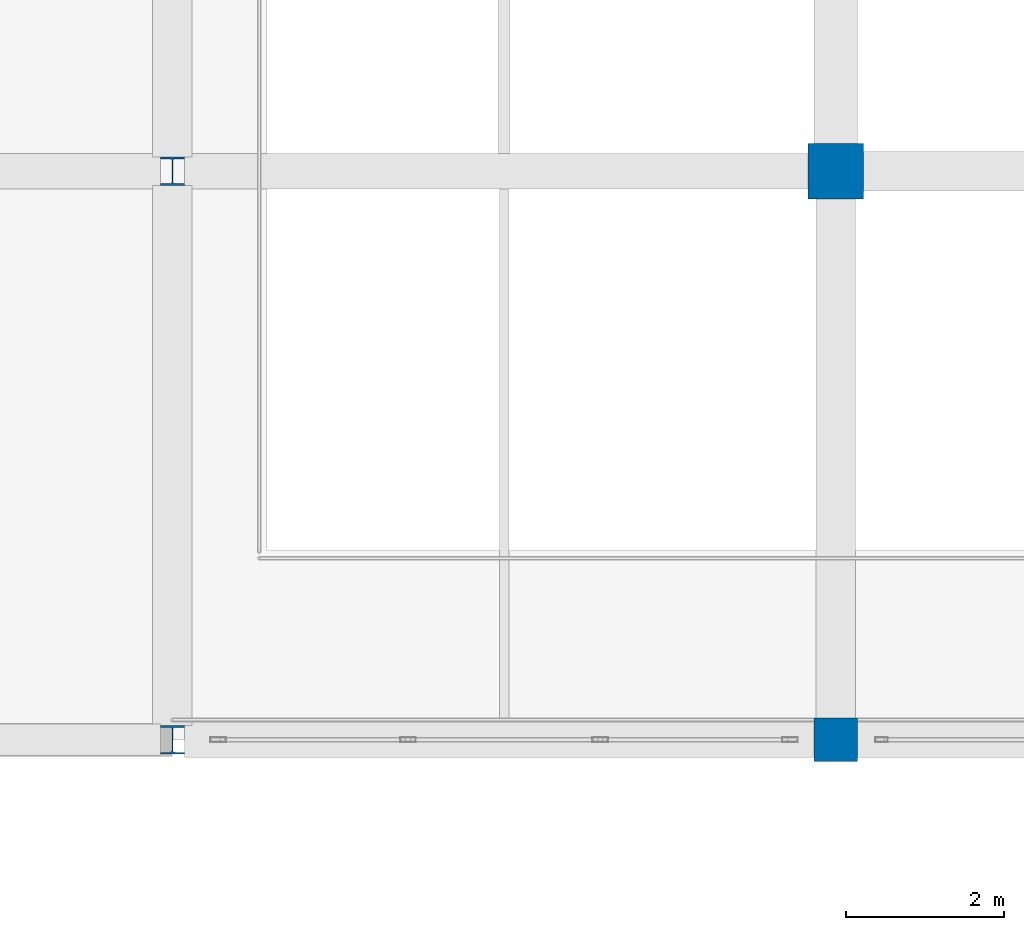
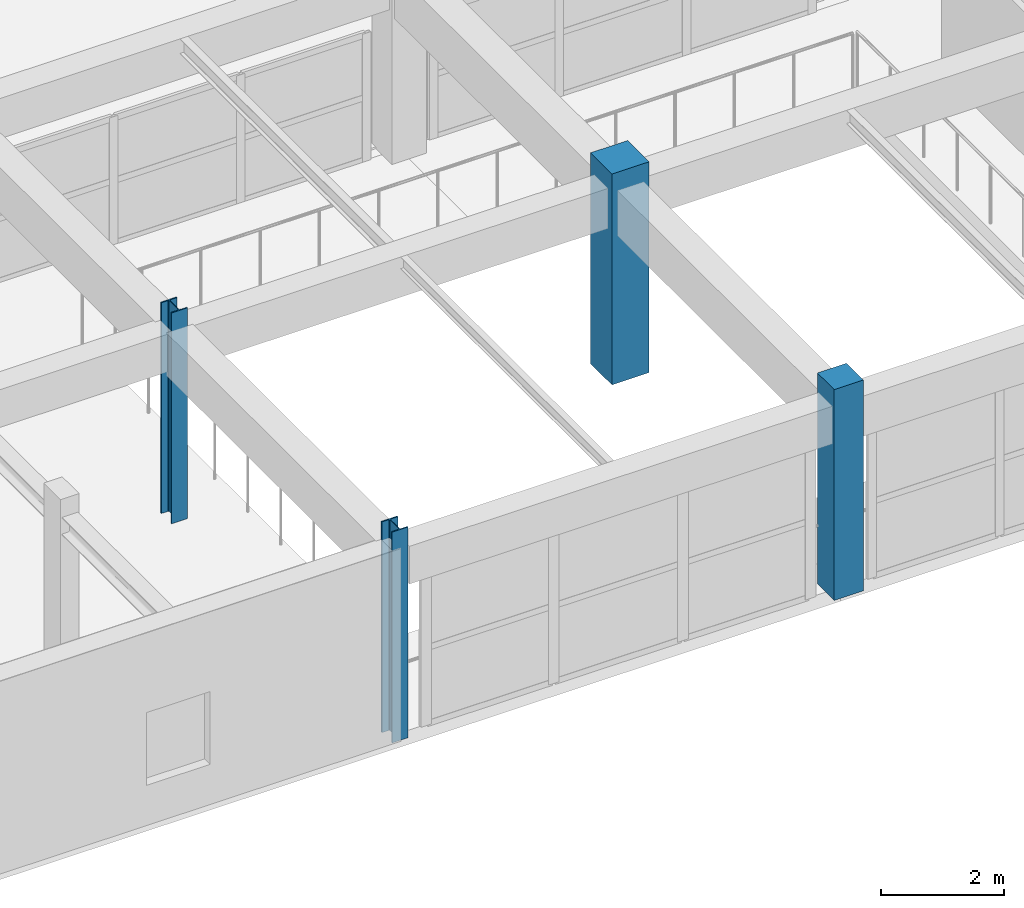
# One storey, part 2 of 71: 4 columns.
"""IFC4 building model written with IfcOpenShell, lengths in metres."""

from ifc_helpers import new_model, si_unit, direction, frame, origin, origin_2d, place, context, subcontext, project, spatial, rectangle, i_section, extrude, material, material_profile, profile_set, type_object, element, save


model = new_model("IFC4")

# Units and contexts
model_context = context("Model", 3, precision=1e-05, world=origin(), true_north=direction((0.0, 1.0)))
body_context = subcontext(model_context, "Body", "Model", "MODEL_VIEW")
ifc_project = project(units=[si_unit("LENGTHUNIT", "METRE"), si_unit("AREAUNIT", "SQUARE_METRE"), si_unit("VOLUMEUNIT", "CUBIC_METRE"), si_unit("PLANEANGLEUNIT", "RADIAN"), si_unit("MASSUNIT", "GRAM", prefix="KILO")], contexts=[model_context])

# Site, building, storey
site_placement = place(None, origin())
site = spatial("IfcSite", under=ifc_project, at=site_placement, CompositionType="ELEMENT")
building_placement = place(site_placement, origin())
building = spatial("IfcBuilding", under=site, at=building_placement, Name="Korsvaeld Concert Hall", CompositionType="ELEMENT")
storey_placement = place(building_placement, frame((0.0, 0.0, 4.800048828125)))
storey = spatial("IfcBuildingStorey", under=building, at=storey_placement, Name="L01", CompositionType="ELEMENT", Elevation=4.800048828125)

# Columns
ifc_material_1 = material(Name="Concrete C40/50", Category="concrete")
ifc_material_profile_1 = material_profile(ifc_material_1, rectangle(XDim=0.550048828125, YDim=0.550048828125, at=origin_2d()), Name="RC 550x550")
ifc_profile_set_1 = profile_set([ifc_material_profile_1], Name="Concrete C40/50")
column_type_1 = type_object("IfcColumnType", Name="COL-RC-550x550", PredefinedType="COLUMN", material=ifc_profile_set_1)
column_1_placement = place(storey_placement, frame((67.199951171875, 28.800048828125, 0.0), z_axis=(0.0, 0.0, 1.0), x_axis=(1.0, 0.0, 0.0)))
element("IfcColumn", 1, at=column_1_placement, inside=storey, type_object=column_type_1, Name="Column 10/E L01", PredefinedType="COLUMN", context=body_context, shape_type="SweptSolid", body=[
    extrude(rectangle(XDim=0.550048828125, YDim=0.550048828125, at=origin_2d()), origin(), (0.0, 0.0, 1.0), 4.199951171875),
])
ifc_material_profile_2 = material_profile(ifc_material_1, rectangle(XDim=0.699951171875, YDim=0.699951171875, at=origin_2d()), Name="RC 700x700")
ifc_profile_set_2 = profile_set([ifc_material_profile_2], Name="Concrete C40/50")
column_type_2 = type_object("IfcColumnType", Name="COL-RC-700x700", PredefinedType="COLUMN", material=ifc_profile_set_2)
column_2_placement = place(storey_placement, frame((67.199951171875, 36.0, 0.0), z_axis=(0.0, 0.0, 1.0), x_axis=(1.0, 0.0, 0.0)))
element("IfcColumn", 2, at=column_2_placement, inside=storey, type_object=column_type_2, Name="Column 10/F L01", PredefinedType="COLUMN", context=body_context, shape_type="SweptSolid", body=[
    extrude(rectangle(XDim=0.699951171875, YDim=0.699951171875, at=origin_2d()), origin(), (0.0, 0.0, 1.0), 4.199951171875),
])
ifc_material_2 = material(Name="Steel S355J2", Category="steel")
ifc_material_profile_3 = material_profile(ifc_material_2, i_section(OverallWidth=0.300048828125, OverallDepth=0.360107421875, WebThickness=0.012451171875, FlangeThickness=0.0224609375, FilletRadius=0.027099609375, at=origin_2d()), Name="HEB 360")
ifc_profile_set_3 = profile_set([ifc_material_profile_3], Name="Steel S355J2")
column_type_3 = type_object("IfcColumnType", Name="COL-STL-HEB360", PredefinedType="COLUMN", material=ifc_profile_set_3)
for number, where, z_axis, x_axis, name in (
    (3, (58.800048828125, 28.800048828125, 0.0), (0.0, 0.0, 1.0), (1.0, 0.0, 0.0), "Column 9/E L01"),
    (4, (58.800048828125, 36.0, 0.0), (0.0, 0.0, 1.0), (1.0, 0.0, 0.0), "Column 9/F L01"),
):
    element("IfcColumn", number, at=place(storey_placement, frame(where, z_axis=z_axis, x_axis=x_axis)), inside=storey, type_object=column_type_3, Name=name, PredefinedType="COLUMN", context=body_context, shape_type="SweptSolid", body=[
        extrude(i_section(OverallWidth=0.300048828125, OverallDepth=0.360107421875, WebThickness=0.012451171875, FlangeThickness=0.0224609375, FilletRadius=0.027099609375, at=origin_2d()), origin(), (0.0, 0.0, 1.0), 4.199951171875),
    ])

save(model, "model.ifc")
